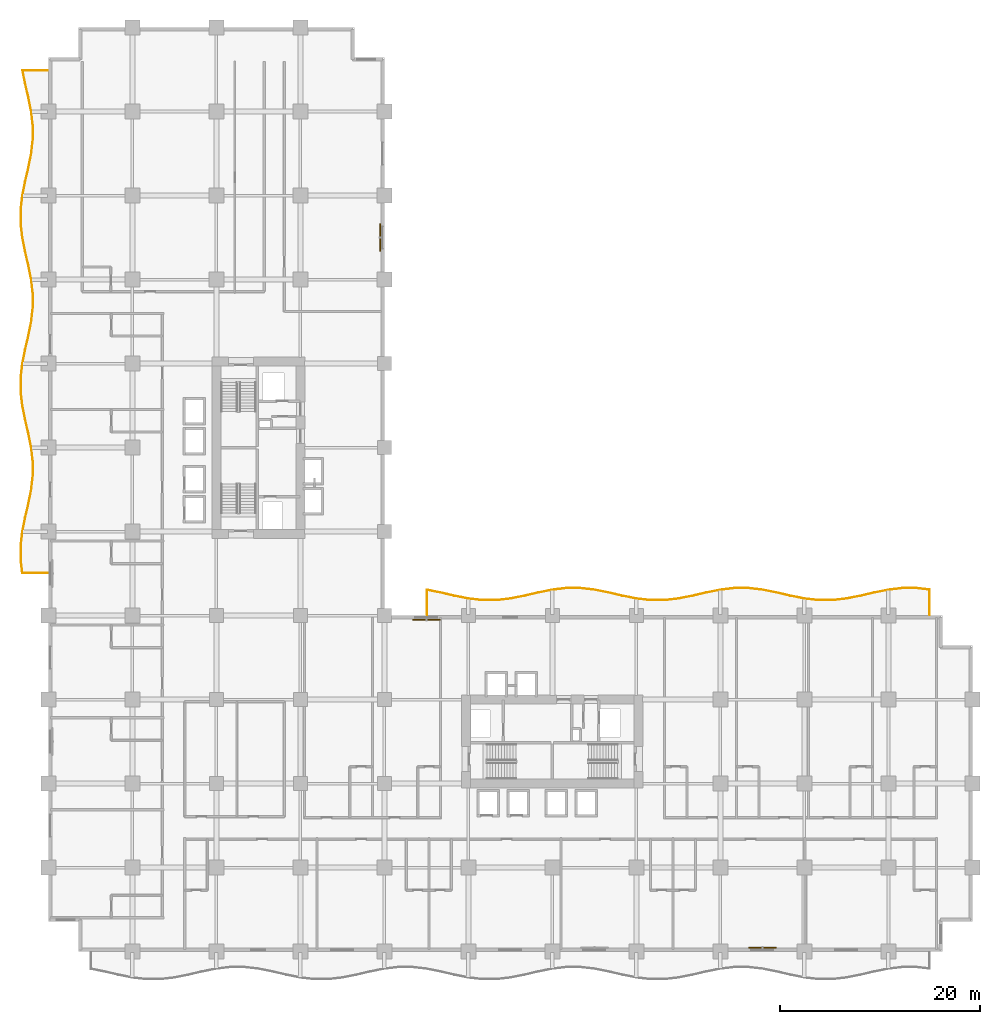
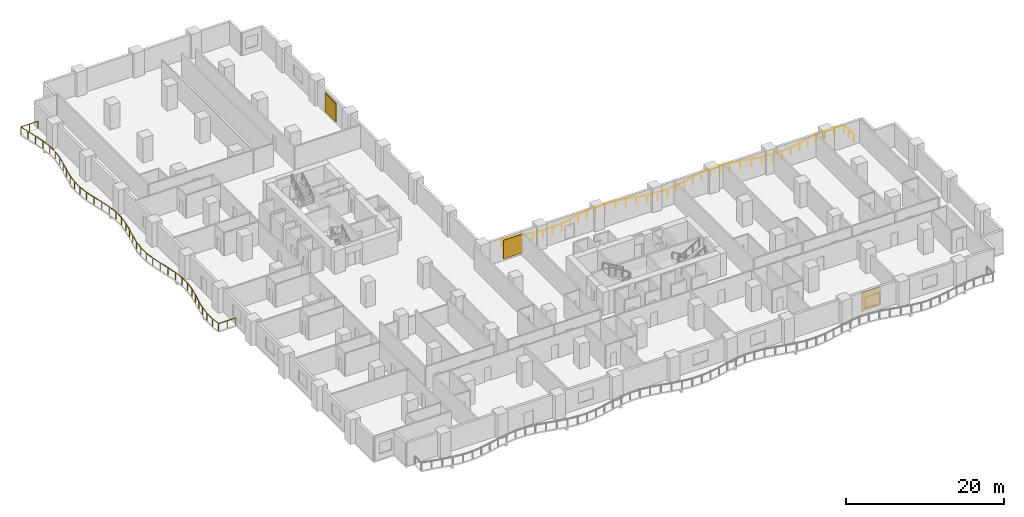
# One storey, part 22 of 22: 3 shading devices, 2 railings.
"""IFC4 building model written with IfcOpenShell, lengths in metres."""

from ifc_helpers import new_model, si_unit, direction, frame, origin, origin_2d, place, context, subcontext, project, spatial, rectangle, circle, extrude, material, layer, layer_set, type_object, element, save


model = new_model("IFC4")

# Units and contexts
model_context = context("Model", 3, precision=1e-05, world=origin(), true_north=direction((0.0, 1.0)))
body_context = subcontext(model_context, "Body", "Model", "MODEL_VIEW")
ifc_project = project(units=[si_unit("LENGTHUNIT", "METRE"), si_unit("AREAUNIT", "SQUARE_METRE"), si_unit("VOLUMEUNIT", "CUBIC_METRE"), si_unit("PLANEANGLEUNIT", "RADIAN"), si_unit("MASSUNIT", "GRAM", prefix="KILO")], contexts=[model_context])

# Site, building, storey
site_placement = place(None, origin())
site = spatial("IfcSite", under=ifc_project, at=site_placement, CompositionType="ELEMENT")
building_placement = place(site_placement, origin())
building = spatial("IfcBuilding", under=site, at=building_placement, Name="Koriwani Terraces Tower", CompositionType="ELEMENT")
storey_placement = place(building_placement, frame((0.0, 0.0, 43.39990234375)))
storey = spatial("IfcBuildingStorey", under=building, at=storey_placement, Name="L09", CompositionType="ELEMENT", Elevation=43.39990234375)

# Railings
ifc_material_1 = material(Name="Steel ASTM A572 Grade 50", Category="steel")
railing_type = type_object("IfcRailingType", Name="GUARD_BALUSTRADE_1150", PredefinedType="BALUSTRADE", material=ifc_material_1)
railing_1_placement = place(storey_placement, frame((-0.080078125, 37.8798828125, 0.0)))
element("IfcRailing", 1, at=railing_1_placement, inside=storey, type_object=railing_type, Name="L09 Balcony Perimeter Safety Balustrade (W)", PredefinedType="BALUSTRADE", context=body_context, shape_type="SweptSolid", body=[
    extrude(circle(Radius=0.02392578125, at=origin_2d()), frame((0.0, 0.0, 1.1259765625), z_axis=(-1.0, 0.0, 0.0), x_axis=(0.0, -1.0, 0.0)), (0.0, 0.0, 1.0), 2.515625),
    extrude(circle(Radius=0.02392578125, at=origin_2d()), frame((-2.515625, 0.0, 1.1259765625), z_axis=(-0.114790882492, 0.993389678473, 0.0), x_axis=(-0.993389678473, -0.114790882492, 0.0)), (0.0, 0.0, 1.0), 1.33349609375),
    extrude(circle(Radius=0.02392578125, at=origin_2d()), frame((-2.668701171875, 1.32470703125, 1.1259765625), z_axis=(0.0, 1.0, 0.0), x_axis=(-1.0, 0.0, 0.0)), (0.0, 0.0, 1.0), 1.390869140625),
    extrude(circle(Radius=0.02392578125, at=origin_2d()), frame((-2.668701171875, 2.715576171875, 1.1259765625), z_axis=(0.114809259658, 0.993387554732, 0.0), x_axis=(-0.993387554732, 0.114809259658, 0.0)), (0.0, 0.0, 1.0), 1.4013671875),
    extrude(circle(Radius=0.02392578125, at=origin_2d()), frame((-2.5078125, 4.107666015625, 1.1259765625), z_axis=(0.196248091466, 0.980554275191, 0.0), x_axis=(-0.980554275191, 0.196248091466, 0.0)), (0.0, 0.0, 1.0), 1.423095703125),
    extrude(circle(Radius=0.02392578125, at=origin_2d()), frame((-2.228515625, 5.503173828125, 1.1259765625), z_axis=(0.225107657095, 0.974333896935, 0.0), x_axis=(-0.974333896935, 0.225107657095, 0.0)), (0.0, 0.0, 1.0), 1.43701171875),
    extrude(circle(Radius=0.02392578125, at=origin_2d()), frame((-1.905029296875, 6.9033203125, 1.1259765625), z_axis=(0.19621448399, 0.980561000791, 0.0), x_axis=(-0.980561000791, 0.19621448399, 0.0)), (0.0, 0.0, 1.0), 1.43212890625),
    extrude(circle(Radius=0.02392578125, at=origin_2d()), frame((-1.6240234375, 8.3076171875, 1.1259765625), z_axis=(0.114722179915, 0.993397614974, 0.0), x_axis=(-0.993397614974, 0.114722179915, 0.0)), (0.0, 0.0, 1.0), 1.417236328125),
    extrude(circle(Radius=0.02392578125, at=origin_2d()), frame((-1.46142578125, 9.715576171875, 1.1259765625), z_axis=(0.0, 1.0, 0.0), x_axis=(-1.0, 0.0, 0.0)), (0.0, 0.0, 1.0), 1.4091796875),
    extrude(circle(Radius=0.02392578125, at=origin_2d()), frame((-1.46142578125, 11.124755859375, 1.1259765625), z_axis=(-0.114741814309, 0.993395347306, 0.0), x_axis=(-0.993395347306, -0.114741814309, 0.0)), (0.0, 0.0, 1.0), 1.4169921875),
    extrude(circle(Radius=0.02392578125, at=origin_2d()), frame((-1.6240234375, 12.532470703125, 1.1259765625), z_axis=(-0.196181690301, 0.980567562379, 0.0), x_axis=(-0.980567562379, -0.196181690301, 0.0)), (0.0, 0.0, 1.0), 1.432373046875),
    extrude(circle(Radius=0.02392578125, at=origin_2d()), frame((-1.905029296875, 13.93701171875, 1.1259765625), z_axis=(-0.225144925641, 0.974325285753, 0.0), x_axis=(-0.974325285753, -0.225144925641, 0.0)), (0.0, 0.0, 1.0), 1.436767578125),
    extrude(circle(Radius=0.02392578125, at=origin_2d()), frame((-2.228515625, 15.3369140625, 1.1259765625), z_axis=(-0.196215086073, 0.980560880312, 0.0), x_axis=(-0.980560880312, -0.196215086073, 0.0)), (0.0, 0.0, 1.0), 1.42333984375),
    extrude(circle(Radius=0.02392578125, at=origin_2d()), frame((-2.5078125, 16.732666015625, 1.1259765625), z_axis=(-0.114809259658, 0.993387554732, 0.0), x_axis=(-0.993387554732, -0.114809259658, 0.0)), (0.0, 0.0, 1.0), 1.4013671875),
    extrude(circle(Radius=0.02392578125, at=origin_2d()), frame((-2.668701171875, 18.124755859375, 1.1259765625), z_axis=(0.0, 1.0, 0.0), x_axis=(-1.0, 0.0, 0.0)), (0.0, 0.0, 1.0), 1.390869140625),
    extrude(circle(Radius=0.02392578125, at=origin_2d()), frame((-2.668701171875, 19.515625, 1.1259765625), z_axis=(0.114809259658, 0.993387554732, 0.0), x_axis=(-0.993387554732, 0.114809259658, 0.0)), (0.0, 0.0, 1.0), 1.4013671875),
    extrude(circle(Radius=0.02392578125, at=origin_2d()), frame((-2.5078125, 20.90771484375, 1.1259765625), z_axis=(0.196248091466, 0.980554275191, 0.0), x_axis=(-0.980554275191, 0.196248091466, 0.0)), (0.0, 0.0, 1.0), 1.423095703125),
    extrude(circle(Radius=0.02392578125, at=origin_2d()), frame((-2.228515625, 22.30322265625, 1.1259765625), z_axis=(0.225144925641, 0.974325285753, 0.0), x_axis=(-0.974325285753, 0.225144925641, 0.0)), (0.0, 0.0, 1.0), 1.436767578125),
    extrude(circle(Radius=0.02392578125, at=origin_2d()), frame((-1.905029296875, 23.703125, 1.1259765625), z_axis=(0.196181690301, 0.980567562379, 0.0), x_axis=(-0.980567562379, 0.196181690301, 0.0)), (0.0, 0.0, 1.0), 1.432373046875),
    extrude(circle(Radius=0.02392578125, at=origin_2d()), frame((-1.6240234375, 25.107666015625, 1.1259765625), z_axis=(0.114722179915, 0.993397614974, 0.0), x_axis=(-0.993397614974, 0.114722179915, 0.0)), (0.0, 0.0, 1.0), 1.417236328125),
    extrude(circle(Radius=0.02392578125, at=origin_2d()), frame((-1.46142578125, 26.515625, 1.1259765625), z_axis=(0.0, 1.0, 0.0), x_axis=(-1.0, 0.0, 0.0)), (0.0, 0.0, 1.0), 1.4091796875),
    extrude(circle(Radius=0.02392578125, at=origin_2d()), frame((-1.46142578125, 27.9248046875, 1.1259765625), z_axis=(-0.114741814309, 0.993395347306, 0.0), x_axis=(-0.993395347306, -0.114741814309, 0.0)), (0.0, 0.0, 1.0), 1.4169921875),
    extrude(circle(Radius=0.02392578125, at=origin_2d()), frame((-1.6240234375, 29.33251953125, 1.1259765625), z_axis=(-0.196181690301, 0.980567562379, 0.0), x_axis=(-0.980567562379, -0.196181690301, 0.0)), (0.0, 0.0, 1.0), 1.432373046875),
    extrude(circle(Radius=0.02392578125, at=origin_2d()), frame((-1.905029296875, 30.737060546875, 1.1259765625), z_axis=(-0.225144925641, 0.974325285753, 0.0), x_axis=(-0.974325285753, -0.225144925641, 0.0)), (0.0, 0.0, 1.0), 1.436767578125),
    extrude(circle(Radius=0.02392578125, at=origin_2d()), frame((-2.228515625, 32.136962890625, 1.1259765625), z_axis=(-0.196215086073, 0.980560880312, 0.0), x_axis=(-0.980560880312, -0.196215086073, 0.0)), (0.0, 0.0, 1.0), 1.42333984375),
    extrude(circle(Radius=0.02392578125, at=origin_2d()), frame((-2.5078125, 33.53271484375, 1.1259765625), z_axis=(-0.114809259658, 0.993387554732, 0.0), x_axis=(-0.993387554732, -0.114809259658, 0.0)), (0.0, 0.0, 1.0), 1.4013671875),
    extrude(circle(Radius=0.02392578125, at=origin_2d()), frame((-2.668701171875, 34.9248046875, 1.1259765625), z_axis=(0.0, 1.0, 0.0), x_axis=(-1.0, 0.0, 0.0)), (0.0, 0.0, 1.0), 1.390625),
    extrude(circle(Radius=0.02392578125, at=origin_2d()), frame((-2.668701171875, 36.3154296875, 1.1259765625), z_axis=(0.114809259658, 0.993387554732, 0.0), x_axis=(-0.993387554732, 0.114809259658, 0.0)), (0.0, 0.0, 1.0), 1.4013671875),
    extrude(circle(Radius=0.02392578125, at=origin_2d()), frame((-2.5078125, 37.70751953125, 1.1259765625), z_axis=(0.196215086073, 0.980560880312, 0.0), x_axis=(-0.980560880312, 0.196215086073, 0.0)), (0.0, 0.0, 1.0), 1.42333984375),
    extrude(circle(Radius=0.02392578125, at=origin_2d()), frame((-2.228515625, 39.103271484375, 1.1259765625), z_axis=(0.225144925641, 0.974325285753, 0.0), x_axis=(-0.974325285753, 0.225144925641, 0.0)), (0.0, 0.0, 1.0), 1.436767578125),
    extrude(circle(Radius=0.02392578125, at=origin_2d()), frame((-1.905029296875, 40.503173828125, 1.1259765625), z_axis=(0.196181690301, 0.980567562379, 0.0), x_axis=(-0.980567562379, 0.196181690301, 0.0)), (0.0, 0.0, 1.0), 1.432373046875),
    extrude(circle(Radius=0.02392578125, at=origin_2d()), frame((-1.6240234375, 41.90771484375, 1.1259765625), z_axis=(0.114741814309, 0.993395347306, 0.0), x_axis=(-0.993395347306, 0.114741814309, 0.0)), (0.0, 0.0, 1.0), 1.4169921875),
    extrude(circle(Radius=0.02392578125, at=origin_2d()), frame((-1.46142578125, 43.3154296875, 1.1259765625), z_axis=(0.0, 1.0, 0.0), x_axis=(-1.0, 0.0, 0.0)), (0.0, 0.0, 1.0), 1.4091796875),
    extrude(circle(Radius=0.02392578125, at=origin_2d()), frame((-1.46142578125, 44.724609375, 1.1259765625), z_axis=(-0.114722179915, 0.993397614974, 0.0), x_axis=(-0.993397614974, -0.114722179915, 0.0)), (0.0, 0.0, 1.0), 1.417236328125),
    extrude(circle(Radius=0.02392578125, at=origin_2d()), frame((-1.6240234375, 46.132568359375, 1.1259765625), z_axis=(-0.196181690301, 0.980567562379, 0.0), x_axis=(-0.980567562379, -0.196181690301, 0.0)), (0.0, 0.0, 1.0), 1.432373046875),
    extrude(circle(Radius=0.02392578125, at=origin_2d()), frame((-1.905029296875, 47.537109375, 1.1259765625), z_axis=(-0.225144925641, 0.974325285753, 0.0), x_axis=(-0.974325285753, -0.225144925641, 0.0)), (0.0, 0.0, 1.0), 1.436767578125),
    extrude(circle(Radius=0.02392578125, at=origin_2d()), frame((-2.228515625, 48.93701171875, 1.1259765625), z_axis=(-0.196186786742, 0.980566542723, 0.0), x_axis=(-0.980566542723, -0.196186786742, 0.0)), (0.0, 0.0, 1.0), 1.3291015625),
    extrude(circle(Radius=0.02392578125, at=origin_2d()), frame((-2.4892578125, 50.240234375, 1.1259765625), z_axis=(1.0, 0.0, 0.0), x_axis=(0.0, 1.0, 0.0)), (0.0, 0.0, 1.0), 2.4892578125),
    extrude(circle(Radius=0.02099609375, at=origin_2d()), origin(), (0.0, 0.0, 1.0), 1.101806640625),
    extrude(circle(Radius=0.02099609375, at=origin_2d()), frame((-1.2578125, 0.0, 0.0)), (0.0, 0.0, 1.0), 1.101806640625),
    extrude(circle(Radius=0.02099609375, at=origin_2d()), frame((-2.515625, 0.0, 0.0)), (0.0, 0.0, 1.0), 1.101806640625),
    extrude(circle(Radius=0.02099609375, at=origin_2d()), frame((-2.668701171875, 1.32470703125, 0.0)), (0.0, 0.0, 1.0), 1.101806640625),
    extrude(circle(Radius=0.02099609375, at=origin_2d()), frame((-2.668701171875, 2.715576171875, 0.0)), (0.0, 0.0, 1.0), 1.101806640625),
    extrude(circle(Radius=0.02099609375, at=origin_2d()), frame((-2.5078125, 4.107666015625, 0.0)), (0.0, 0.0, 1.0), 1.101806640625),
    extrude(circle(Radius=0.02099609375, at=origin_2d()), frame((-2.228515625, 5.503173828125, 0.0)), (0.0, 0.0, 1.0), 1.101806640625),
    extrude(circle(Radius=0.02099609375, at=origin_2d()), frame((-1.905029296875, 6.9033203125, 0.0)), (0.0, 0.0, 1.0), 1.101806640625),
    extrude(circle(Radius=0.02099609375, at=origin_2d()), frame((-1.6240234375, 8.3076171875, 0.0)), (0.0, 0.0, 1.0), 1.101806640625),
    extrude(circle(Radius=0.02099609375, at=origin_2d()), frame((-1.46142578125, 9.715576171875, 0.0)), (0.0, 0.0, 1.0), 1.101806640625),
    extrude(circle(Radius=0.02099609375, at=origin_2d()), frame((-1.46142578125, 11.124755859375, 0.0)), (0.0, 0.0, 1.0), 1.101806640625),
    extrude(circle(Radius=0.02099609375, at=origin_2d()), frame((-1.6240234375, 12.532470703125, 0.0)), (0.0, 0.0, 1.0), 1.101806640625),
    extrude(circle(Radius=0.02099609375, at=origin_2d()), frame((-1.905029296875, 13.93701171875, 0.0)), (0.0, 0.0, 1.0), 1.101806640625),
    extrude(circle(Radius=0.02099609375, at=origin_2d()), frame((-2.228515625, 15.3369140625, 0.0)), (0.0, 0.0, 1.0), 1.101806640625),
    extrude(circle(Radius=0.02099609375, at=origin_2d()), frame((-2.5078125, 16.732666015625, 0.0)), (0.0, 0.0, 1.0), 1.101806640625),
    extrude(circle(Radius=0.02099609375, at=origin_2d()), frame((-2.668701171875, 18.124755859375, 0.0)), (0.0, 0.0, 1.0), 1.101806640625),
    extrude(circle(Radius=0.02099609375, at=origin_2d()), frame((-2.668701171875, 19.515625, 0.0)), (0.0, 0.0, 1.0), 1.101806640625),
    extrude(circle(Radius=0.02099609375, at=origin_2d()), frame((-2.5078125, 20.90771484375, 0.0)), (0.0, 0.0, 1.0), 1.101806640625),
    extrude(circle(Radius=0.02099609375, at=origin_2d()), frame((-2.228515625, 22.30322265625, 0.0)), (0.0, 0.0, 1.0), 1.101806640625),
    extrude(circle(Radius=0.02099609375, at=origin_2d()), frame((-1.905029296875, 23.703125, 0.0)), (0.0, 0.0, 1.0), 1.101806640625),
    extrude(circle(Radius=0.02099609375, at=origin_2d()), frame((-1.6240234375, 25.107666015625, 0.0)), (0.0, 0.0, 1.0), 1.101806640625),
    extrude(circle(Radius=0.02099609375, at=origin_2d()), frame((-1.46142578125, 26.515625, 0.0)), (0.0, 0.0, 1.0), 1.101806640625),
    extrude(circle(Radius=0.02099609375, at=origin_2d()), frame((-1.46142578125, 27.9248046875, 0.0)), (0.0, 0.0, 1.0), 1.101806640625),
    extrude(circle(Radius=0.02099609375, at=origin_2d()), frame((-1.6240234375, 29.33251953125, 0.0)), (0.0, 0.0, 1.0), 1.101806640625),
    extrude(circle(Radius=0.02099609375, at=origin_2d()), frame((-1.905029296875, 30.737060546875, 0.0)), (0.0, 0.0, 1.0), 1.101806640625),
    extrude(circle(Radius=0.02099609375, at=origin_2d()), frame((-2.228515625, 32.136962890625, 0.0)), (0.0, 0.0, 1.0), 1.101806640625),
    extrude(circle(Radius=0.02099609375, at=origin_2d()), frame((-2.5078125, 33.53271484375, 0.0)), (0.0, 0.0, 1.0), 1.101806640625),
    extrude(circle(Radius=0.02099609375, at=origin_2d()), frame((-2.668701171875, 34.9248046875, 0.0)), (0.0, 0.0, 1.0), 1.101806640625),
    extrude(circle(Radius=0.02099609375, at=origin_2d()), frame((-2.668701171875, 36.3154296875, 0.0)), (0.0, 0.0, 1.0), 1.101806640625),
    extrude(circle(Radius=0.02099609375, at=origin_2d()), frame((-2.5078125, 37.70751953125, 0.0)), (0.0, 0.0, 1.0), 1.101806640625),
    extrude(circle(Radius=0.02099609375, at=origin_2d()), frame((-2.228515625, 39.103271484375, 0.0)), (0.0, 0.0, 1.0), 1.101806640625),
    extrude(circle(Radius=0.02099609375, at=origin_2d()), frame((-1.905029296875, 40.503173828125, 0.0)), (0.0, 0.0, 1.0), 1.101806640625),
    extrude(circle(Radius=0.02099609375, at=origin_2d()), frame((-1.6240234375, 41.90771484375, 0.0)), (0.0, 0.0, 1.0), 1.101806640625),
    extrude(circle(Radius=0.02099609375, at=origin_2d()), frame((-1.46142578125, 43.3154296875, 0.0)), (0.0, 0.0, 1.0), 1.101806640625),
    extrude(circle(Radius=0.02099609375, at=origin_2d()), frame((-1.46142578125, 44.724609375, 0.0)), (0.0, 0.0, 1.0), 1.101806640625),
    extrude(circle(Radius=0.02099609375, at=origin_2d()), frame((-1.6240234375, 46.132568359375, 0.0)), (0.0, 0.0, 1.0), 1.101806640625),
    extrude(circle(Radius=0.02099609375, at=origin_2d()), frame((-1.905029296875, 47.537109375, 0.0)), (0.0, 0.0, 1.0), 1.101806640625),
    extrude(circle(Radius=0.02099609375, at=origin_2d()), frame((-2.228515625, 48.93701171875, 0.0)), (0.0, 0.0, 1.0), 1.101806640625),
    extrude(circle(Radius=0.02099609375, at=origin_2d()), frame((-2.4892578125, 50.240234375, 0.0)), (0.0, 0.0, 1.0), 1.101806640625),
    extrude(circle(Radius=0.02099609375, at=origin_2d()), frame((-1.24462890625, 50.240234375, 0.0)), (0.0, 0.0, 1.0), 1.101806640625),
    extrude(circle(Radius=0.02099609375, at=origin_2d()), frame((0.0, 50.240234375, 0.0)), (0.0, 0.0, 1.0), 1.101806640625),
])
railing_2_placement = place(storey_placement, frame((88.1201171875, 33.679931640625, 0.0)))
element("IfcRailing", 2, at=railing_2_placement, inside=storey, type_object=railing_type, Name="L09 Balcony Perimeter Safety Balustrade (NE)", PredefinedType="BALUSTRADE", context=body_context, shape_type="SweptSolid", body=[
    extrude(circle(Radius=0.02392578125, at=origin_2d()), frame((0.0, 0.0, 1.1259765625), z_axis=(0.0, 1.0, 0.0), x_axis=(-1.0, 0.0, 0.0)), (0.0, 0.0, 1.0), 2.515625),
    extrude(circle(Radius=0.02392578125, at=origin_2d()), frame((0.0, 2.515625, 1.1259765625), z_axis=(-0.993389678473, 0.114790882492, 0.0), x_axis=(-0.114790882492, -0.993389678473, 0.0)), (0.0, 0.0, 1.0), 1.33349609375),
    extrude(circle(Radius=0.02392578125, at=origin_2d()), frame((-1.32470703125, 2.668701171875, 1.1259765625), z_axis=(-1.0, 0.0, 0.0), x_axis=(0.0, -1.0, 0.0)), (0.0, 0.0, 1.0), 1.390869140625),
    extrude(circle(Radius=0.02392578125, at=origin_2d()), frame((-2.715576171875, 2.668701171875, 1.1259765625), z_axis=(-0.993387554732, -0.114809259658, 0.0), x_axis=(0.114809259658, -0.993387554732, 0.0)), (0.0, 0.0, 1.0), 1.4013671875),
    extrude(circle(Radius=0.02392578125, at=origin_2d()), frame((-4.107666015625, 2.5078125, 1.1259765625), z_axis=(-0.980587273263, -0.196083144391, 0.0), x_axis=(0.196083144391, -0.980587273263, 0.0)), (0.0, 0.0, 1.0), 1.423095703125),
    extrude(circle(Radius=0.02392578125, at=origin_2d()), frame((-5.503173828125, 2.228759765625, 1.1259765625), z_axis=(-0.974296622472, -0.225268931368, 0.0), x_axis=(0.225268931368, -0.974296622472, 0.0)), (0.0, 0.0, 1.0), 1.43701171875),
    extrude(circle(Radius=0.02392578125, at=origin_2d()), frame((-6.9033203125, 1.905029296875, 1.1259765625), z_axis=(-0.980593787249, -0.196050565949, 0.0), x_axis=(0.196050565949, -0.980593787249, 0.0)), (0.0, 0.0, 1.0), 1.43212890625),
    extrude(circle(Radius=0.02392578125, at=origin_2d()), frame((-8.3076171875, 1.624267578125, 1.1259765625), z_axis=(-0.993397614974, -0.114722179915, 0.0), x_axis=(0.114722179915, -0.993397614974, 0.0)), (0.0, 0.0, 1.0), 1.417236328125),
    extrude(circle(Radius=0.02392578125, at=origin_2d()), frame((-9.715576171875, 1.461669921875, 1.1259765625), z_axis=(-1.0, 0.0, 0.0), x_axis=(0.0, -1.0, 0.0)), (0.0, 0.0, 1.0), 1.4091796875),
    extrude(circle(Radius=0.02392578125, at=origin_2d()), frame((-11.124755859375, 1.461669921875, 1.1259765625), z_axis=(-0.993395347306, 0.114741814309, 0.0), x_axis=(-0.114741814309, -0.993395347306, 0.0)), (0.0, 0.0, 1.0), 1.4169921875),
    extrude(circle(Radius=0.02392578125, at=origin_2d()), frame((-12.532470703125, 1.624267578125, 1.1259765625), z_axis=(-0.980600338098, 0.196017797464, 0.0), x_axis=(-0.196017797464, -0.980600338098, 0.0)), (0.0, 0.0, 1.0), 1.432373046875),
    extrude(circle(Radius=0.02392578125, at=origin_2d()), frame((-13.93701171875, 1.905029296875, 1.1259765625), z_axis=(-0.974287999277, 0.22530622376, 0.0), x_axis=(-0.22530622376, -0.974287999277, 0.0)), (0.0, 0.0, 1.0), 1.436767578125),
    extrude(circle(Radius=0.02392578125, at=origin_2d()), frame((-15.3369140625, 2.228759765625, 1.1259765625), z_axis=(-0.980593867507, 0.19605016452, 0.0), x_axis=(-0.19605016452, -0.980593867507, 0.0)), (0.0, 0.0, 1.0), 1.42333984375),
    extrude(circle(Radius=0.02392578125, at=origin_2d()), frame((-16.732666015625, 2.5078125, 1.1259765625), z_axis=(-0.993387554732, 0.114809259658, 0.0), x_axis=(-0.114809259658, -0.993387554732, 0.0)), (0.0, 0.0, 1.0), 1.4013671875),
    extrude(circle(Radius=0.02392578125, at=origin_2d()), frame((-18.124755859375, 2.668701171875, 1.1259765625), z_axis=(-1.0, 0.0, 0.0), x_axis=(0.0, -1.0, 0.0)), (0.0, 0.0, 1.0), 1.390869140625),
    extrude(circle(Radius=0.02392578125, at=origin_2d()), frame((-19.515625, 2.668701171875, 1.1259765625), z_axis=(-0.993387554732, -0.114809259658, 0.0), x_axis=(0.114809259658, -0.993387554732, 0.0)), (0.0, 0.0, 1.0), 1.4013671875),
    extrude(circle(Radius=0.02392578125, at=origin_2d()), frame((-20.90771484375, 2.5078125, 1.1259765625), z_axis=(-0.980587273263, -0.196083144391, 0.0), x_axis=(0.196083144391, -0.980587273263, 0.0)), (0.0, 0.0, 1.0), 1.423095703125),
    extrude(circle(Radius=0.02392578125, at=origin_2d()), frame((-22.30322265625, 2.228759765625, 1.1259765625), z_axis=(-0.974287999277, -0.22530622376, 0.0), x_axis=(0.22530622376, -0.974287999277, 0.0)), (0.0, 0.0, 1.0), 1.436767578125),
    extrude(circle(Radius=0.02392578125, at=origin_2d()), frame((-23.703125, 1.905029296875, 1.1259765625), z_axis=(-0.980600338098, -0.196017797464, 0.0), x_axis=(0.196017797464, -0.980600338098, 0.0)), (0.0, 0.0, 1.0), 1.432373046875),
    extrude(circle(Radius=0.02392578125, at=origin_2d()), frame((-25.107666015625, 1.624267578125, 1.1259765625), z_axis=(-0.993397614974, -0.114722179915, 0.0), x_axis=(0.114722179915, -0.993397614974, 0.0)), (0.0, 0.0, 1.0), 1.417236328125),
    extrude(circle(Radius=0.02392578125, at=origin_2d()), frame((-26.515625, 1.461669921875, 1.1259765625), z_axis=(-1.0, 0.0, 0.0), x_axis=(0.0, -1.0, 0.0)), (0.0, 0.0, 1.0), 1.4091796875),
    extrude(circle(Radius=0.02392578125, at=origin_2d()), frame((-27.9248046875, 1.461669921875, 1.1259765625), z_axis=(-0.993395347306, 0.114741814309, 0.0), x_axis=(-0.114741814309, -0.993395347306, 0.0)), (0.0, 0.0, 1.0), 1.4169921875),
    extrude(circle(Radius=0.02392578125, at=origin_2d()), frame((-29.33251953125, 1.624267578125, 1.1259765625), z_axis=(-0.980600338098, 0.196017797464, 0.0), x_axis=(-0.196017797464, -0.980600338098, 0.0)), (0.0, 0.0, 1.0), 1.432373046875),
    extrude(circle(Radius=0.02392578125, at=origin_2d()), frame((-30.737060546875, 1.905029296875, 1.1259765625), z_axis=(-0.974287999277, 0.22530622376, 0.0), x_axis=(-0.22530622376, -0.974287999277, 0.0)), (0.0, 0.0, 1.0), 1.436767578125),
    extrude(circle(Radius=0.02392578125, at=origin_2d()), frame((-32.136962890625, 2.228759765625, 1.1259765625), z_axis=(-0.980593867507, 0.19605016452, 0.0), x_axis=(-0.19605016452, -0.980593867507, 0.0)), (0.0, 0.0, 1.0), 1.42333984375),
    extrude(circle(Radius=0.02392578125, at=origin_2d()), frame((-33.53271484375, 2.5078125, 1.1259765625), z_axis=(-0.993387554732, 0.114809259658, 0.0), x_axis=(-0.114809259658, -0.993387554732, 0.0)), (0.0, 0.0, 1.0), 1.4013671875),
    extrude(circle(Radius=0.02392578125, at=origin_2d()), frame((-34.9248046875, 2.668701171875, 1.1259765625), z_axis=(-1.0, 0.0, 0.0), x_axis=(0.0, -1.0, 0.0)), (0.0, 0.0, 1.0), 1.390625),
    extrude(circle(Radius=0.02392578125, at=origin_2d()), frame((-36.3154296875, 2.668701171875, 1.1259765625), z_axis=(-0.993387554732, -0.114809259658, 0.0), x_axis=(0.114809259658, -0.993387554732, 0.0)), (0.0, 0.0, 1.0), 1.4013671875),
    extrude(circle(Radius=0.02392578125, at=origin_2d()), frame((-37.70751953125, 2.5078125, 1.1259765625), z_axis=(-0.980593867507, -0.19605016452, 0.0), x_axis=(0.19605016452, -0.980593867507, 0.0)), (0.0, 0.0, 1.0), 1.42333984375),
    extrude(circle(Radius=0.02392578125, at=origin_2d()), frame((-39.103271484375, 2.228759765625, 1.1259765625), z_axis=(-0.974287999277, -0.22530622376, 0.0), x_axis=(0.22530622376, -0.974287999277, 0.0)), (0.0, 0.0, 1.0), 1.436767578125),
    extrude(circle(Radius=0.02392578125, at=origin_2d()), frame((-40.503173828125, 1.905029296875, 1.1259765625), z_axis=(-0.980600338098, -0.196017797464, 0.0), x_axis=(0.196017797464, -0.980600338098, 0.0)), (0.0, 0.0, 1.0), 1.432373046875),
    extrude(circle(Radius=0.02392578125, at=origin_2d()), frame((-41.90771484375, 1.624267578125, 1.1259765625), z_axis=(-0.993395347306, -0.114741814309, 0.0), x_axis=(0.114741814309, -0.993395347306, 0.0)), (0.0, 0.0, 1.0), 1.4169921875),
    extrude(circle(Radius=0.02392578125, at=origin_2d()), frame((-43.3154296875, 1.461669921875, 1.1259765625), z_axis=(-1.0, 0.0, 0.0), x_axis=(0.0, -1.0, 0.0)), (0.0, 0.0, 1.0), 1.4091796875),
    extrude(circle(Radius=0.02392578125, at=origin_2d()), frame((-44.724609375, 1.461669921875, 1.1259765625), z_axis=(-0.993397614974, 0.114722179915, 0.0), x_axis=(-0.114722179915, -0.993397614974, 0.0)), (0.0, 0.0, 1.0), 1.417236328125),
    extrude(circle(Radius=0.02392578125, at=origin_2d()), frame((-46.132568359375, 1.624267578125, 1.1259765625), z_axis=(-0.980600338098, 0.196017797464, 0.0), x_axis=(-0.196017797464, -0.980600338098, 0.0)), (0.0, 0.0, 1.0), 1.432373046875),
    extrude(circle(Radius=0.02392578125, at=origin_2d()), frame((-47.537109375, 1.905029296875, 1.1259765625), z_axis=(-0.974287999277, 0.22530622376, 0.0), x_axis=(-0.22530622376, -0.974287999277, 0.0)), (0.0, 0.0, 1.0), 1.436767578125),
    extrude(circle(Radius=0.02392578125, at=origin_2d()), frame((-48.93701171875, 2.228759765625, 1.1259765625), z_axis=(-0.980601866361, 0.196010152006, 0.0), x_axis=(-0.196010152006, -0.980601866361, 0.0)), (0.0, 0.0, 1.0), 1.3291015625),
    extrude(circle(Radius=0.02392578125, at=origin_2d()), frame((-50.240234375, 2.4892578125, 1.1259765625), z_axis=(0.0, -1.0, 0.0), x_axis=(1.0, 0.0, 0.0)), (0.0, 0.0, 1.0), 2.4892578125),
    extrude(circle(Radius=0.02099609375, at=origin_2d()), origin(), (0.0, 0.0, 1.0), 1.101806640625),
    extrude(circle(Radius=0.02099609375, at=origin_2d()), frame((0.0, 1.2578125, 0.0)), (0.0, 0.0, 1.0), 1.101806640625),
    extrude(circle(Radius=0.02099609375, at=origin_2d()), frame((0.0, 2.515625, 0.0)), (0.0, 0.0, 1.0), 1.101806640625),
    extrude(circle(Radius=0.02099609375, at=origin_2d()), frame((-1.32470703125, 2.668701171875, 0.0)), (0.0, 0.0, 1.0), 1.101806640625),
    extrude(circle(Radius=0.02099609375, at=origin_2d()), frame((-2.715576171875, 2.668701171875, 0.0)), (0.0, 0.0, 1.0), 1.101806640625),
    extrude(circle(Radius=0.02099609375, at=origin_2d()), frame((-4.107666015625, 2.5078125, 0.0)), (0.0, 0.0, 1.0), 1.101806640625),
    extrude(circle(Radius=0.02099609375, at=origin_2d()), frame((-5.503173828125, 2.228759765625, 0.0)), (0.0, 0.0, 1.0), 1.101806640625),
    extrude(circle(Radius=0.02099609375, at=origin_2d()), frame((-6.9033203125, 1.905029296875, 0.0)), (0.0, 0.0, 1.0), 1.101806640625),
    extrude(circle(Radius=0.02099609375, at=origin_2d()), frame((-8.3076171875, 1.624267578125, 0.0)), (0.0, 0.0, 1.0), 1.101806640625),
    extrude(circle(Radius=0.02099609375, at=origin_2d()), frame((-9.715576171875, 1.461669921875, 0.0)), (0.0, 0.0, 1.0), 1.101806640625),
    extrude(circle(Radius=0.02099609375, at=origin_2d()), frame((-11.124755859375, 1.461669921875, 0.0)), (0.0, 0.0, 1.0), 1.101806640625),
    extrude(circle(Radius=0.02099609375, at=origin_2d()), frame((-12.532470703125, 1.624267578125, 0.0)), (0.0, 0.0, 1.0), 1.101806640625),
    extrude(circle(Radius=0.02099609375, at=origin_2d()), frame((-13.93701171875, 1.905029296875, 0.0)), (0.0, 0.0, 1.0), 1.101806640625),
    extrude(circle(Radius=0.02099609375, at=origin_2d()), frame((-15.3369140625, 2.228759765625, 0.0)), (0.0, 0.0, 1.0), 1.101806640625),
    extrude(circle(Radius=0.02099609375, at=origin_2d()), frame((-16.732666015625, 2.5078125, 0.0)), (0.0, 0.0, 1.0), 1.101806640625),
    extrude(circle(Radius=0.02099609375, at=origin_2d()), frame((-18.124755859375, 2.668701171875, 0.0)), (0.0, 0.0, 1.0), 1.101806640625),
    extrude(circle(Radius=0.02099609375, at=origin_2d()), frame((-19.515625, 2.668701171875, 0.0)), (0.0, 0.0, 1.0), 1.101806640625),
    extrude(circle(Radius=0.02099609375, at=origin_2d()), frame((-20.90771484375, 2.5078125, 0.0)), (0.0, 0.0, 1.0), 1.101806640625),
    extrude(circle(Radius=0.02099609375, at=origin_2d()), frame((-22.30322265625, 2.228759765625, 0.0)), (0.0, 0.0, 1.0), 1.101806640625),
    extrude(circle(Radius=0.02099609375, at=origin_2d()), frame((-23.703125, 1.905029296875, 0.0)), (0.0, 0.0, 1.0), 1.101806640625),
    extrude(circle(Radius=0.02099609375, at=origin_2d()), frame((-25.107666015625, 1.624267578125, 0.0)), (0.0, 0.0, 1.0), 1.101806640625),
    extrude(circle(Radius=0.02099609375, at=origin_2d()), frame((-26.515625, 1.461669921875, 0.0)), (0.0, 0.0, 1.0), 1.101806640625),
    extrude(circle(Radius=0.02099609375, at=origin_2d()), frame((-27.9248046875, 1.461669921875, 0.0)), (0.0, 0.0, 1.0), 1.101806640625),
    extrude(circle(Radius=0.02099609375, at=origin_2d()), frame((-29.33251953125, 1.624267578125, 0.0)), (0.0, 0.0, 1.0), 1.101806640625),
    extrude(circle(Radius=0.02099609375, at=origin_2d()), frame((-30.737060546875, 1.905029296875, 0.0)), (0.0, 0.0, 1.0), 1.101806640625),
    extrude(circle(Radius=0.02099609375, at=origin_2d()), frame((-32.136962890625, 2.228759765625, 0.0)), (0.0, 0.0, 1.0), 1.101806640625),
    extrude(circle(Radius=0.02099609375, at=origin_2d()), frame((-33.53271484375, 2.5078125, 0.0)), (0.0, 0.0, 1.0), 1.101806640625),
    extrude(circle(Radius=0.02099609375, at=origin_2d()), frame((-34.9248046875, 2.668701171875, 0.0)), (0.0, 0.0, 1.0), 1.101806640625),
    extrude(circle(Radius=0.02099609375, at=origin_2d()), frame((-36.3154296875, 2.668701171875, 0.0)), (0.0, 0.0, 1.0), 1.101806640625),
    extrude(circle(Radius=0.02099609375, at=origin_2d()), frame((-37.70751953125, 2.5078125, 0.0)), (0.0, 0.0, 1.0), 1.101806640625),
    extrude(circle(Radius=0.02099609375, at=origin_2d()), frame((-39.103271484375, 2.228759765625, 0.0)), (0.0, 0.0, 1.0), 1.101806640625),
    extrude(circle(Radius=0.02099609375, at=origin_2d()), frame((-40.503173828125, 1.905029296875, 0.0)), (0.0, 0.0, 1.0), 1.101806640625),
    extrude(circle(Radius=0.02099609375, at=origin_2d()), frame((-41.90771484375, 1.624267578125, 0.0)), (0.0, 0.0, 1.0), 1.101806640625),
    extrude(circle(Radius=0.02099609375, at=origin_2d()), frame((-43.3154296875, 1.461669921875, 0.0)), (0.0, 0.0, 1.0), 1.101806640625),
    extrude(circle(Radius=0.02099609375, at=origin_2d()), frame((-44.724609375, 1.461669921875, 0.0)), (0.0, 0.0, 1.0), 1.101806640625),
    extrude(circle(Radius=0.02099609375, at=origin_2d()), frame((-46.132568359375, 1.624267578125, 0.0)), (0.0, 0.0, 1.0), 1.101806640625),
    extrude(circle(Radius=0.02099609375, at=origin_2d()), frame((-47.537109375, 1.905029296875, 0.0)), (0.0, 0.0, 1.0), 1.101806640625),
    extrude(circle(Radius=0.02099609375, at=origin_2d()), frame((-48.93701171875, 2.228759765625, 0.0)), (0.0, 0.0, 1.0), 1.101806640625),
    extrude(circle(Radius=0.02099609375, at=origin_2d()), frame((-50.240234375, 2.4892578125, 0.0)), (0.0, 0.0, 1.0), 1.101806640625),
    extrude(circle(Radius=0.02099609375, at=origin_2d()), frame((-50.240234375, 1.24462890625, 0.0)), (0.0, 0.0, 1.0), 1.101806640625),
    extrude(circle(Radius=0.02099609375, at=origin_2d()), frame((-50.240234375, 0.0, 0.0)), (0.0, 0.0, 1.0), 1.101806640625),
])

# Shading devices
ifc_material_2 = material(Name="Extruded Terracotta Clay", Category="masonry")
ifc_layer = layer(ifc_material_2, 0.1201171875, Name="Extruded Terracotta Clay")
ifc_layer_set = layer_set([ifc_layer], Name="Extruded Terracotta Clay")
shading_device_type = type_object("IfcShadingDeviceType", Name="TERRACOTTA_BAGUETTE_SCREEN_2800", PredefinedType="USERDEFINED", material=ifc_layer_set)
for number, where, z_axis, x_axis, name in (
    (3, (33.195068359375, 71.39990234375, 0.3251953125), (0.0, 0.0, 1.0), (0.0, -1.0, 0.0), "L09 Extruded Terracotta Baguette Screen (NW_IN-14)"),
    (4, (37.800048828125, 33.195068359375, 0.3251953125), (0.0, 0.0, 1.0), (1.0, 0.0, 0.0), "L09 Extruded Terracotta Baguette Screen (NE-2)"),
    (5, (71.39990234375, 0.405029296875, 0.3251953125), (0.0, 0.0, 1.0), (-1.0, 0.0, 0.0), "L09 Extruded Terracotta Baguette Screen (S-24)"),
):
    element("IfcShadingDevice", number, at=place(storey_placement, frame(where, z_axis=z_axis, x_axis=x_axis)), inside=storey, type_object=shading_device_type, Name=name, ObjectType="BAGUETTE", PredefinedType="USERDEFINED", context=body_context, shape_type="SweptSolid", body=[
        extrude(rectangle(XDim=2.760009765625, YDim=0.1201171875, at=origin_2d()), origin(), (0.0, 0.0, 1.0), 2.89990234375),
    ])

save(model, "model.ifc")
